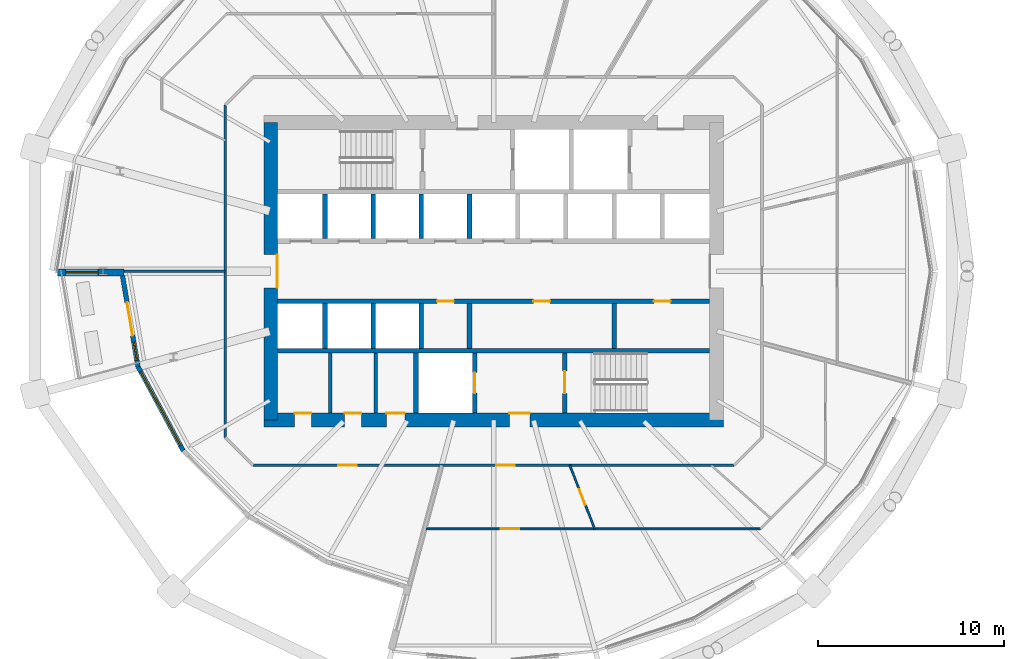
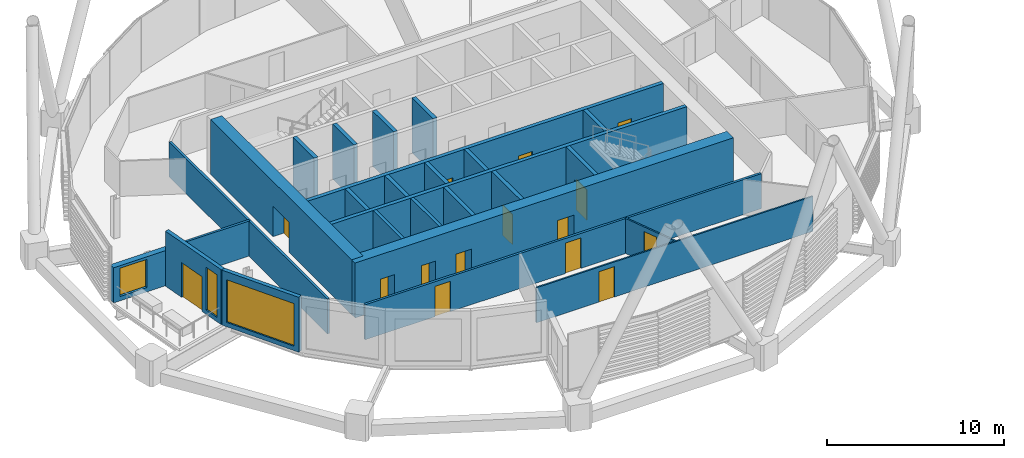
# One storey, part 23 of 38: 26 walls, 15 doors, 3 windows, 18 openings.
"""IFC4 building model written with IfcOpenShell, lengths in metres."""

from ifc_helpers import new_model, si_unit, direction, frame, frame_2d, origin, place, context, subcontext, project, spatial, rectangle, extrude, material, layer, layer_set, type_object, element, fill, save


model = new_model("IFC4")

# Units and contexts
model_context = context("Model", 3, precision=1e-05, world=origin(), true_north=direction((0.0, 1.0)))
body_context = subcontext(model_context, "Body", "Model", "MODEL_VIEW")
ifc_project = project(units=[si_unit("LENGTHUNIT", "METRE"), si_unit("AREAUNIT", "SQUARE_METRE"), si_unit("VOLUMEUNIT", "CUBIC_METRE"), si_unit("PLANEANGLEUNIT", "RADIAN"), si_unit("MASSUNIT", "GRAM", prefix="KILO")], contexts=[model_context])

# Site, building, storey
site_placement = place(None, origin())
site = spatial("IfcSite", under=ifc_project, at=site_placement, CompositionType="ELEMENT")
building_placement = place(site_placement, origin())
building = spatial("IfcBuilding", under=site, at=building_placement, Name="Rimbun Link Towers", CompositionType="ELEMENT")
storey_placement = place(building_placement, frame((0.0, 0.0, 93.0)))
storey = spatial("IfcBuildingStorey", under=building, at=storey_placement, Name="L22", CompositionType="ELEMENT", Elevation=93.0)

# Wall, openings, door, window
ifc_material_1 = material(Name="Dark enamelled glass spandrel on insulated aluminium backpan", Category="aluminium")
ifc_layer_1 = layer(ifc_material_1, 0.25)
ifc_layer_set_1 = layer_set([ifc_layer_1], Name="CS dark enamelled spandrel wall 250")
wall_type_1 = type_object("IfcWallType", Name="CS dark enamelled spandrel wall 250", PredefinedType="STANDARD", material=ifc_layer_set_1)
wall_1_placement = place(storey_placement, frame((-50.895263671875, -5.13916015625, 0.0), z_axis=(0.0, 0.0, 1.0), x_axis=(-0.168005969371, 0.985785977916, 0.0)))
wall_1 = element("IfcWall", 1, at=wall_1_placement, inside=storey, type_object=wall_type_1, Name="Crease spandrel wall", PredefinedType="STANDARD", context=body_context, shape_type="SweptSolid", body=[
    extrude(rectangle(XDim=4.959716796875, YDim=0.25, at=frame_2d((2.47998046875, 0.0))), origin(), (0.0, 0.0, 1.0), 3.800048828125),
])
opening_1_placement = place(wall_1_placement, frame((0.35302734375, 0.0, 0.300048828125)))
opening_1 = element("IfcOpeningElement", 2, at=opening_1_placement, cuts=wall_1, Name="Opening WR10H295", PredefinedType="OPENING", context=body_context, shape_type="SweptSolid", body=[
    extrude(rectangle(XDim=1.0, YDim=2.949951171875, at=frame_2d((0.5, 1.47509765625))), frame((0.0, 0.135009765625, 0.0), z_axis=(0.0, -1.0, 0.0), x_axis=(1.0, 0.0, 0.0)), (0.0, 0.0, 1.0), 0.27001953125),
])
opening_2_placement = place(wall_1_placement, frame((1.7060546875, 0.0, 0.0)))
opening_2 = element("IfcOpeningElement", 3, at=opening_2_placement, cuts=wall_1, Name="Opening ED61", PredefinedType="OPENING", context=body_context, shape_type="SweptSolid", body=[
    extrude(rectangle(XDim=1.800048828125, YDim=2.39990234375, at=frame_2d((0.89990234375, 1.199951171875))), frame((0.0, 0.135009765625, 0.0), z_axis=(0.0, -1.0, 0.0), x_axis=(1.0, 0.0, 0.0)), (0.0, 0.0, 1.0), 0.27001953125),
])
ifc_material_2 = material(Name="Aluminium framed glazed door, low-iron glass", Category="aluminium")
door_type_1 = type_object("IfcDoorType", Name="ED terrace door double leaf 1800X2400", OperationType="DOUBLE_DOOR_SINGLE_SWING", PredefinedType="DOOR", material=ifc_material_2)
door_1_placement = place(opening_2_placement, origin())
door_1 = element("IfcDoor", 4, at=door_1_placement, inside=storey, type_object=door_type_1, Name="Terrace door", OperationType="SINGLE_SWING_LEFT", OverallHeight=2.39990234375, OverallWidth=1.800048828125, PredefinedType="DOOR", context=body_context, shape_type="SweptSolid", body=[
    extrude(rectangle(XDim=1.800048828125, YDim=2.39990234375, at=frame_2d((0.89990234375, 1.199951171875))), frame((0.0, 0.02490234375, 0.0), z_axis=(0.0, -1.0, 0.0), x_axis=(1.0, 0.0, 0.0)), (0.0, 0.0, 1.0), 0.050048828125),
])
fill(opening_2, door_1)
ifc_material_3 = material(Name="Aluminium framed fixed window, dark tinted low-e glass", Category="aluminium")
window_type_1 = type_object("IfcWindowType", Name="WR ribbon window 1000X2950", PartitioningType="SINGLE_PANEL", PredefinedType="WINDOW", material=ifc_material_3)
window_1_placement = place(opening_1_placement, origin())
window_1 = element("IfcWindow", 5, at=window_1_placement, inside=storey, type_object=window_type_1, Name="Crease ribbon window", OverallHeight=2.949951171875, OverallWidth=1.0, PartitioningType="SINGLE_PANEL", PredefinedType="WINDOW", context=body_context, shape_type="SweptSolid", body=[
    extrude(rectangle(XDim=1.0, YDim=2.949951171875, at=frame_2d((0.5, 1.47509765625))), frame((0.0, 0.030029296875, 0.0), z_axis=(0.0, -1.0, 0.0), x_axis=(1.0, 0.0, 0.0)), (0.0, 0.0, 1.0), 0.06005859375),
])
fill(opening_1, window_1)

# Wall, opening, window
wall_2_placement = place(storey_placement, frame((-48.462646484375, -9.665771484375, 0.0), z_axis=(0.0, 0.0, 1.0), x_axis=(-0.47337722528, 0.880859808702, 0.0)))
wall_2 = element("IfcWall", 6, at=wall_2_placement, inside=storey, type_object=wall_type_1, Name="Crease spandrel wall", PredefinedType="STANDARD", context=body_context, shape_type="SweptSolid", body=[
    extrude(rectangle(XDim=5.138916015625, YDim=0.25, at=frame_2d((2.5693359375, 0.0))), origin(), (0.0, 0.0, 1.0), 3.800048828125),
])
opening_3_placement = place(wall_2_placement, frame((0.319580078125, 0.0, 0.300048828125)))
opening_3 = element("IfcOpeningElement", 7, at=opening_3_placement, cuts=wall_2, Name="Opening WR45H295", PredefinedType="OPENING", context=body_context, shape_type="SweptSolid", body=[
    extrude(rectangle(XDim=4.5, YDim=2.949951171875, at=frame_2d((2.25, 1.47509765625))), frame((0.0, 0.135009765625, 0.0), z_axis=(0.0, -1.0, 0.0), x_axis=(1.0, 0.0, 0.0)), (0.0, 0.0, 1.0), 0.27001953125),
])
ifc_material_4 = material(Name="Aluminium framed fixed window, dark tinted low-e glass", Category="aluminium")
window_type_2 = type_object("IfcWindowType", Name="WR ribbon window 4500X2950", PartitioningType="SINGLE_PANEL", PredefinedType="WINDOW", material=ifc_material_4)
window_2_placement = place(opening_3_placement, origin())
window_2 = element("IfcWindow", 8, at=window_2_placement, inside=storey, type_object=window_type_2, Name="Crease ribbon window", OverallHeight=2.949951171875, OverallWidth=4.5, PartitioningType="SINGLE_PANEL", PredefinedType="WINDOW", context=body_context, shape_type="SweptSolid", body=[
    extrude(rectangle(XDim=4.5, YDim=2.949951171875, at=frame_2d((2.25, 1.47509765625))), frame((0.0, 0.030029296875, 0.0), z_axis=(0.0, -1.0, 0.0), x_axis=(1.0, 0.0, 0.0)), (0.0, 0.0, 1.0), 0.06005859375),
])
fill(opening_3, window_2)

ifc_material_5 = material(Name="Dark enamelled glass spandrel on insulated aluminium backpan", Category="aluminium")
ifc_layer_2 = layer(ifc_material_5, 0.3701171875)
ifc_layer_set_2 = layer_set([ifc_layer_2], Name="CS dark enamelled spandrel wall 370")
wall_type_2 = type_object("IfcWallType", Name="CS dark enamelled spandrel wall 370", PredefinedType="STANDARD", material=ifc_layer_set_2)
wall_3_placement = place(storey_placement, frame((-51.644287109375, -0.06494140625, 0.0), z_axis=(0.0, 0.0, 1.0), x_axis=(-1.0, 0.0, 0.0)))
wall_3 = element("IfcWall", 9, at=wall_3_placement, inside=storey, type_object=wall_type_2, Name="Crease spandrel wall", PredefinedType="STANDARD", context=body_context, shape_type="SweptSolid", body=[
    extrude(rectangle(XDim=3.580078125, YDim=0.3701171875, at=frame_2d((1.7900390625, 0.0))), origin(), (0.0, 0.0, 1.0), 2.429931640625),
])
opening_4_placement = place(wall_3_placement, frame((1.3974609375, 0.0, 0.300048828125)))
opening_4 = element("IfcOpeningElement", 10, at=opening_4_placement, cuts=wall_3, Name="Opening WR18H195", PredefinedType="OPENING", context=body_context, shape_type="SweptSolid", body=[
    extrude(rectangle(XDim=1.75, YDim=1.949951171875, at=frame_2d((0.875, 0.97509765625))), frame((0.0, 0.195068359375, 0.0), z_axis=(0.0, -1.0, 0.0), x_axis=(1.0, 0.0, 0.0)), (0.0, 0.0, 1.0), 0.39013671875),
])
ifc_material_6 = material(Name="Aluminium framed fixed window, dark tinted low-e glass", Category="aluminium")
window_type_3 = type_object("IfcWindowType", Name="WR ribbon window 1750X1950", PartitioningType="SINGLE_PANEL", PredefinedType="WINDOW", material=ifc_material_6)
window_3_placement = place(opening_4_placement, origin())
window_3 = element("IfcWindow", 11, at=window_3_placement, inside=storey, type_object=window_type_3, Name="Crease ribbon window", OverallHeight=1.949951171875, OverallWidth=1.75, PartitioningType="SINGLE_PANEL", PredefinedType="WINDOW", context=body_context, shape_type="SweptSolid", body=[
    extrude(rectangle(XDim=1.75, YDim=1.949951171875, at=frame_2d((0.875, 0.97509765625))), frame((0.0, 0.030029296875, 0.0), z_axis=(0.0, -1.0, 0.0), x_axis=(1.0, 0.0, 0.0)), (0.0, 0.0, 1.0), 0.06005859375),
])
fill(opening_4, window_3)

# Walls
ifc_material_7 = material(Name="Masonry blockwork", Category="masonry")
ifc_layer_3 = layer(ifc_material_7, 0.199951171875)
ifc_layer_set_3 = layer_set([ifc_layer_3], Name="Core partition 200")
wall_type_3 = type_object("IfcWallType", Name="Core partition 200", PredefinedType="PARTITIONING", material=ifc_layer_set_3)
for number, where, z_axis, x_axis, name in (
    (12, (-40.550048828125, -4.39990234375, 0.0), (0.0, 0.0, 1.0), (0.0, -1.0, 0.0), "L22 T1 core wall C1"),
    (13, (-38.10009765625, -4.39990234375, 0.0), (0.0, 0.0, 1.0), (0.0, -1.0, 0.0), "L22 T1 core wall C2"),
):
    element("IfcWall", number, at=place(storey_placement, frame(where, z_axis=z_axis, x_axis=x_axis)), inside=storey, type_object=wall_type_3, Name=name, PredefinedType="PARTITIONING", context=body_context, shape_type="SweptSolid", body=[
        extrude(rectangle(XDim=3.22509765625, YDim=0.199951171875, at=frame_2d((1.612548828125, 0.0))), origin(), (0.0, 0.0, 1.0), 3.800048828125),
    ])

# Wall, openings, doors
ifc_material_8 = material(Name="Concrete C60/75", Category="concrete")
ifc_layer_4 = layer(ifc_material_8, 0.75)
ifc_layer_set_4 = layer_set([ifc_layer_4], Name="Core shear wall 750")
wall_type_4 = type_object("IfcWallType", Name="Core shear wall 750", PredefinedType="SHEAR", material=ifc_layer_set_4)
wall_4_placement = place(storey_placement, frame((-44.125, -8.0, 0.0), z_axis=(0.0, 0.0, 1.0), x_axis=(1.0, 0.0, 0.0)))
wall_4 = element("IfcWall", 14, at=wall_4_placement, inside=storey, type_object=wall_type_4, Name="L22 T1 core wall S", PredefinedType="SHEAR", context=body_context, shape_type="SweptSolid", body=[
    extrude(rectangle(XDim=24.75, YDim=0.75, at=frame_2d((12.375, 0.0))), origin(), (0.0, 0.0, 1.0), 3.800048828125),
])
opening_5_placement = place(wall_4_placement, frame((13.22509765625, 0.0, 0.0)))
opening_5 = element("IfcOpeningElement", 15, at=opening_5_placement, cuts=wall_4, Name="Opening C1DCF01S", PredefinedType="OPENING", context=body_context, shape_type="SweptSolid", body=[
    extrude(rectangle(XDim=1.10009765625, YDim=2.10009765625, at=frame_2d((0.550048828125, 1.050048828125))), frame((0.0, 0.385009765625, 0.0), z_axis=(0.0, -1.0, 0.0), x_axis=(1.0, 0.0, 0.0)), (0.0, 0.0, 1.0), 0.77001953125),
])
opening_6_placement = place(wall_4_placement, frame((1.66259765625, 0.0, 0.0)))
opening_6 = element("IfcOpeningElement", 16, at=opening_6_placement, cuts=wall_4, Name="Opening C1DWC02S", PredefinedType="OPENING", context=body_context, shape_type="SweptSolid", body=[
    extrude(rectangle(XDim=0.89990234375, YDim=2.10009765625, at=frame_2d((0.449951171875, 1.050048828125))), frame((0.0, 0.385009765625, 0.0), z_axis=(0.0, -1.0, 0.0), x_axis=(1.0, 0.0, 0.0)), (0.0, 0.0, 1.0), 0.77001953125),
])
opening_7_placement = place(wall_4_placement, frame((4.35009765625, 0.0, 0.0)))
opening_7 = element("IfcOpeningElement", 17, at=opening_7_placement, cuts=wall_4, Name="Opening C1DWC03S", PredefinedType="OPENING", context=body_context, shape_type="SweptSolid", body=[
    extrude(rectangle(XDim=0.89990234375, YDim=2.10009765625, at=frame_2d((0.449951171875, 1.050048828125))), frame((0.0, 0.385009765625, 0.0), z_axis=(0.0, -1.0, 0.0), x_axis=(1.0, 0.0, 0.0)), (0.0, 0.0, 1.0), 0.77001953125),
])
opening_8_placement = place(wall_4_placement, frame((6.60009765625, 0.0, 0.0)))
opening_8 = element("IfcOpeningElement", 18, at=opening_8_placement, cuts=wall_4, Name="Opening C1DAW04S", PredefinedType="OPENING", context=body_context, shape_type="SweptSolid", body=[
    extrude(rectangle(XDim=1.0, YDim=2.10009765625, at=frame_2d((0.5, 1.050048828125))), frame((0.0, 0.385009765625, 0.0), z_axis=(0.0, -1.0, 0.0), x_axis=(1.0, 0.0, 0.0)), (0.0, 0.0, 1.0), 0.77001953125),
])
ifc_material_9 = material(Name="Timber", Category="wood")
door_type_2 = type_object("IfcDoorType", Name="Accessible WC door", OperationType="SINGLE_SWING_LEFT", PredefinedType="DOOR", material=ifc_material_9)
door_2_placement = place(opening_8_placement, origin())
door_2 = element("IfcDoor", 19, at=door_2_placement, inside=storey, type_object=door_type_2, Name="L22 T1 accessible wc door", OperationType="SINGLE_SWING_RIGHT", OverallHeight=2.10009765625, OverallWidth=1.0, PredefinedType="DOOR", context=body_context, shape_type="SweptSolid", body=[
    extrude(rectangle(XDim=1.0, YDim=2.10009765625, at=frame_2d((0.5, 1.050048828125))), frame((0.0, 0.375, 0.0), z_axis=(0.0, -1.0, 0.0), x_axis=(1.0, 0.0, 0.0)), (0.0, 0.0, 1.0), 0.050048828125),
])
fill(opening_8, door_2)
ifc_material_10 = material(Name="Steel fire door set", Category="steel")
door_type_3 = type_object("IfcDoorType", Name="Core fire door single", OperationType="SINGLE_SWING_LEFT", PredefinedType="DOOR", material=ifc_material_10)
door_3_placement = place(opening_5_placement, origin())
door_3 = element("IfcDoor", 20, at=door_3_placement, inside=storey, type_object=door_type_3, Name="L22 T1 firefighting lobby s door", OperationType="SINGLE_SWING_RIGHT", OverallHeight=2.10009765625, OverallWidth=1.10009765625, PredefinedType="DOOR", context=body_context, shape_type="SweptSolid", body=[
    extrude(rectangle(XDim=1.10009765625, YDim=2.10009765625, at=frame_2d((0.550048828125, 1.050048828125))), frame((0.0, 0.375, 0.0), z_axis=(0.0, -1.0, 0.0), x_axis=(1.0, 0.0, 0.0)), (0.0, 0.0, 1.0), 0.050048828125),
])
fill(opening_5, door_3)
ifc_material_11 = material(Name="Timber", Category="wood")
door_type_4 = type_object("IfcDoorType", Name="WC door", OperationType="SINGLE_SWING_LEFT", PredefinedType="DOOR", material=ifc_material_11)
door_4_placement = place(opening_6_placement, origin())
door_4 = element("IfcDoor", 21, at=door_4_placement, inside=storey, type_object=door_type_4, Name="L22 T1 male wc door", OperationType="SINGLE_SWING_RIGHT", OverallHeight=2.10009765625, OverallWidth=0.89990234375, PredefinedType="DOOR", context=body_context, shape_type="SweptSolid", body=[
    extrude(rectangle(XDim=0.89990234375, YDim=2.10009765625, at=frame_2d((0.449951171875, 1.050048828125))), frame((0.0, 0.375, 0.0), z_axis=(0.0, -1.0, 0.0), x_axis=(1.0, 0.0, 0.0)), (0.0, 0.0, 1.0), 0.050048828125),
])
fill(opening_6, door_4)
door_5_placement = place(opening_7_placement, origin())
door_5 = element("IfcDoor", 22, at=door_5_placement, inside=storey, type_object=door_type_4, Name="L22 T1 female wc door", OperationType="SINGLE_SWING_RIGHT", OverallHeight=2.10009765625, OverallWidth=0.89990234375, PredefinedType="DOOR", context=body_context, shape_type="SweptSolid", body=[
    extrude(rectangle(XDim=0.89990234375, YDim=2.10009765625, at=frame_2d((0.449951171875, 1.050048828125))), frame((0.0, 0.375, 0.0), z_axis=(0.0, -1.0, 0.0), x_axis=(1.0, 0.0, 0.0)), (0.0, 0.0, 1.0), 0.050048828125),
])
fill(opening_7, door_5)

# Wall, opening, door
wall_5_placement = place(storey_placement, frame((-43.75, -8.0, 0.0), z_axis=(0.0, 0.0, 1.0), x_axis=(0.0, 1.0, 0.0)))
wall_5 = element("IfcWall", 23, at=wall_5_placement, inside=storey, type_object=wall_type_4, Name="L22 T1 core wall W", PredefinedType="SHEAR", context=body_context, shape_type="SweptSolid", body=[
    extrude(rectangle(XDim=16.0, YDim=0.75, at=frame_2d((8.0, 0.0))), origin(), (0.0, 0.0, 1.0), 3.800048828125),
])
opening_9_placement = place(wall_5_placement, frame((7.10009765625, 0.0, 0.0)))
opening_9 = element("IfcOpeningElement", 24, at=opening_9_placement, cuts=wall_5, Name="Opening C1DCL01W", PredefinedType="OPENING", context=body_context, shape_type="SweptSolid", body=[
    extrude(rectangle(XDim=1.800048828125, YDim=2.10009765625, at=frame_2d((0.89990234375, 1.050048828125))), frame((0.0, 0.385009765625, 0.0), z_axis=(0.0, -1.0, 0.0), x_axis=(1.0, 0.0, 0.0)), (0.0, 0.0, 1.0), 0.77001953125),
])
ifc_material_12 = material(Name="Steel fire door set", Category="steel")
door_type_5 = type_object("IfcDoorType", Name="Core lobby door double", OperationType="DOUBLE_DOOR_SINGLE_SWING", PredefinedType="DOOR", material=ifc_material_12)
door_6_placement = place(opening_9_placement, origin())
door_6 = element("IfcDoor", 25, at=door_6_placement, inside=storey, type_object=door_type_5, Name="L22 T1 lift lobby door", OperationType="DOUBLE_DOOR_SINGLE_SWING", OverallHeight=2.10009765625, OverallWidth=1.800048828125, PredefinedType="DOOR", context=body_context, shape_type="SweptSolid", body=[
    extrude(rectangle(XDim=1.800048828125, YDim=2.10009765625, at=frame_2d((0.89990234375, 1.050048828125))), frame((0.0, -0.3251953125, 0.0), z_axis=(0.0, -1.0, 0.0), x_axis=(1.0, 0.0, 0.0)), (0.0, 0.0, 1.0), 0.050048828125),
])
fill(opening_9, door_6)

# Wall, openings, doors
ifc_material_13 = material(Name="Plasterboard on steel stud, mineral wool", Category="steel")
ifc_layer_5 = layer(ifc_material_13, 0.14990234375)
ifc_layer_set_5 = layer_set([ifc_layer_5], Name="Corridor wall EI 30 150 mm")
wall_type_5 = type_object("IfcWallType", Name="Corridor wall EI 30 150 mm", PredefinedType="PARTITIONING", material=ifc_layer_set_5)
wall_6_placement = place(storey_placement, frame((-18.79833984375, -10.449951171875, 0.0), z_axis=(0.0, 0.0, 1.0), x_axis=(-1.0, 0.0, 0.0)))
wall_6 = element("IfcWall", 26, at=wall_6_placement, inside=storey, type_object=wall_type_5, Name="Corridor wall EI 30 150 mm", PredefinedType="PARTITIONING", context=body_context, shape_type="SweptSolid", body=[
    extrude(rectangle(XDim=25.9033203125, YDim=0.14990234375, at=frame_2d((12.95166015625, 0.0))), origin(), (0.0, 0.0, 1.0), 2.419921875),
])
opening_10_placement = place(wall_6_placement, frame((11.80126953125, 0.0, 0.0)))
opening_10 = element("IfcOpeningElement", 27, at=opening_10_placement, cuts=wall_6, Name="Opening D01", PredefinedType="OPENING", context=body_context, shape_type="SweptSolid", body=[
    extrude(rectangle(XDim=1.0, YDim=2.10009765625, at=frame_2d((0.5, 1.050048828125))), frame((0.0, 0.0849609375, 0.0), z_axis=(0.0, -1.0, 0.0), x_axis=(1.0, 0.0, 0.0)), (0.0, 0.0, 1.0), 0.169921875),
])
opening_11_placement = place(wall_6_placement, frame((20.32763671875, 0.0, 0.0)))
opening_11 = element("IfcOpeningElement", 28, at=opening_11_placement, cuts=wall_6, Name="Opening D01", PredefinedType="OPENING", context=body_context, shape_type="SweptSolid", body=[
    extrude(rectangle(XDim=1.0, YDim=2.10009765625, at=frame_2d((0.5, 1.050048828125))), frame((0.0, 0.0849609375, 0.0), z_axis=(0.0, -1.0, 0.0), x_axis=(1.0, 0.0, 0.0)), (0.0, 0.0, 1.0), 0.169921875),
])
ifc_material_14 = material(Name="Fire-resisting timber door leaf", Category="wood")
door_type_6 = type_object("IfcDoorType", Name="Fire door FD30S 1000", OperationType="NOTDEFINED", PredefinedType="DOOR", material=ifc_material_14)
door_7_placement = place(opening_10_placement, origin())
door_7 = element("IfcDoor", 29, at=door_7_placement, inside=storey, type_object=door_type_6, Name="Fire door FD30S 1000 to Reception", OperationType="SINGLE_SWING_LEFT", OverallHeight=2.10009765625, OverallWidth=1.0, PredefinedType="DOOR", context=body_context, shape_type="SweptSolid", body=[
    extrude(rectangle(XDim=1.0, YDim=2.10009765625, at=frame_2d((0.5, 1.050048828125))), frame((0.0, 0.02490234375, 0.0), z_axis=(0.0, -1.0, 0.0), x_axis=(1.0, 0.0, 0.0)), (0.0, 0.0, 1.0), 0.050048828125),
])
fill(opening_10, door_7)
door_8_placement = place(opening_11_placement, origin())
door_8 = element("IfcDoor", 30, at=door_8_placement, inside=storey, type_object=door_type_6, Name="Fire door FD30S 1000 to Terrace office", OperationType="SINGLE_SWING_LEFT", OverallHeight=2.10009765625, OverallWidth=1.0, PredefinedType="DOOR", context=body_context, shape_type="SweptSolid", body=[
    extrude(rectangle(XDim=1.0, YDim=2.10009765625, at=frame_2d((0.5, 1.050048828125))), frame((0.0, 0.02490234375, 0.0), z_axis=(0.0, -1.0, 0.0), x_axis=(1.0, 0.0, 0.0)), (0.0, 0.0, 1.0), 0.050048828125),
])
fill(opening_11, door_8)

# Wall
wall_7_placement = place(storey_placement, frame((-46.199951171875, 8.95166015625, 0.0), z_axis=(0.0, 0.0, 1.0), x_axis=(0.0, -1.0, 0.0)))
element("IfcWall", 31, at=wall_7_placement, inside=storey, type_object=wall_type_5, Name="Corridor wall EI 30 150 mm", PredefinedType="PARTITIONING", context=body_context, shape_type="SweptSolid", body=[
    extrude(rectangle(XDim=17.9033203125, YDim=0.14990234375, at=frame_2d((8.95166015625, 0.0))), origin(), (0.0, 0.0, 1.0), 2.419921875),
])

# Wall, opening, door
ifc_material_15 = material(Name="Plasterboard on steel stud", Category="steel")
ifc_layer_6 = layer(ifc_material_15, 0.10009765625)
ifc_layer_set_6 = layer_set([ifc_layer_6], Name="Plasterboard partition 100 mm")
wall_type_6 = type_object("IfcWallType", Name="Plasterboard partition 100 mm", PredefinedType="PARTITIONING", material=ifc_layer_set_6)
wall_8_placement = place(storey_placement, frame((-27.648681640625, -10.449951171875, 0.0), z_axis=(0.0, 0.0, 1.0), x_axis=(0.365276110252, -0.930899222945, 0.0)))
wall_8 = element("IfcWall", 32, at=wall_8_placement, inside=storey, type_object=wall_type_6, Name="Plasterboard partition 100 mm", PredefinedType="PARTITIONING", context=body_context, shape_type="SweptSolid", body=[
    extrude(rectangle(XDim=3.674072265625, YDim=0.10009765625, at=frame_2d((1.8369140625, 0.0))), origin(), (0.0, 0.0, 1.0), 2.419921875),
])
opening_12_placement = place(wall_8_placement, frame((1.386962890625, 0.0, 0.0)))
opening_12 = element("IfcOpeningElement", 33, at=opening_12_placement, cuts=wall_8, Name="Opening D04", PredefinedType="OPENING", context=body_context, shape_type="SweptSolid", body=[
    extrude(rectangle(XDim=0.89990234375, YDim=2.10009765625, at=frame_2d((0.449951171875, 1.050048828125))), frame((0.0, 0.06005859375, 0.0), z_axis=(0.0, -1.0, 0.0), x_axis=(1.0, 0.0, 0.0)), (0.0, 0.0, 1.0), 0.1201171875),
])
ifc_material_16 = material(Name="Timber door leaf", Category="wood")
door_type_7 = type_object("IfcDoorType", Name="Flush door 900", OperationType="NOTDEFINED", PredefinedType="DOOR", material=ifc_material_16)
door_9_placement = place(opening_12_placement, origin())
door_9 = element("IfcDoor", 34, at=door_9_placement, inside=storey, type_object=door_type_7, Name="Flush door 900 to Meeting room", OperationType="SINGLE_SWING_RIGHT", OverallHeight=2.10009765625, OverallWidth=0.89990234375, PredefinedType="DOOR", context=body_context, shape_type="SweptSolid", body=[
    extrude(rectangle(XDim=0.89990234375, YDim=2.10009765625, at=frame_2d((0.449951171875, 1.050048828125))), frame((0.0, 0.02490234375, 0.0), z_axis=(0.0, -1.0, 0.0), x_axis=(1.0, 0.0, 0.0)), (0.0, 0.0, 1.0), 0.050048828125),
])
fill(opening_12, door_9)

wall_9_placement = place(storey_placement, frame((-17.381591796875, -13.8701171875, 0.0), z_axis=(0.0, 0.0, 1.0), x_axis=(-1.0, 0.0, 0.0)))
wall_9 = element("IfcWall", 35, at=wall_9_placement, inside=storey, type_object=wall_type_6, Name="Plasterboard partition 100 mm", PredefinedType="PARTITIONING", context=body_context, shape_type="SweptSolid", body=[
    extrude(rectangle(XDim=18.084716796875, YDim=0.10009765625, at=frame_2d((9.04248046875, 0.0))), origin(), (0.0, 0.0, 1.0), 2.419921875),
])
opening_13_placement = place(wall_9_placement, frame((12.989990234375, 0.0, 0.0)))
opening_13 = element("IfcOpeningElement", 36, at=opening_13_placement, cuts=wall_9, Name="Opening D03", PredefinedType="OPENING", context=body_context, shape_type="SweptSolid", body=[
    extrude(rectangle(XDim=1.0, YDim=2.10009765625, at=frame_2d((0.5, 1.050048828125))), frame((0.0, 0.06005859375, 0.0), z_axis=(0.0, -1.0, 0.0), x_axis=(1.0, 0.0, 0.0)), (0.0, 0.0, 1.0), 0.1201171875),
])
ifc_material_17 = material(Name="Timber door leaf", Category="wood")
door_type_8 = type_object("IfcDoorType", Name="Flush door 1000", OperationType="NOTDEFINED", PredefinedType="DOOR", material=ifc_material_17)
door_10_placement = place(opening_13_placement, origin())
door_10 = element("IfcDoor", 37, at=door_10_placement, inside=storey, type_object=door_type_8, Name="Flush door 1000 to Open office", OperationType="SINGLE_SWING_LEFT", OverallHeight=2.10009765625, OverallWidth=1.0, PredefinedType="DOOR", context=body_context, shape_type="SweptSolid", body=[
    extrude(rectangle(XDim=1.0, YDim=2.10009765625, at=frame_2d((0.5, 1.050048828125))), frame((0.0, 0.02490234375, 0.0), z_axis=(0.0, -1.0, 0.0), x_axis=(1.0, 0.0, 0.0)), (0.0, 0.0, 1.0), 0.050048828125),
])
fill(opening_13, door_10)

# Wall
ifc_material_18 = material(Name="Concrete C60/75", Category="concrete")
ifc_layer_7 = layer(ifc_material_18, 0.25)
ifc_layer_set_7 = layer_set([ifc_layer_7], Name="Shaft wall 250")
wall_type_7 = type_object("IfcWallType", Name="Shaft wall 250", PredefinedType="SHEAR", material=ifc_layer_set_7)
wall_10_placement = place(storey_placement, frame((-43.375, -4.27490234375, 0.0), z_axis=(0.0, 0.0, 1.0), x_axis=(1.0, 0.0, 0.0)))
element("IfcWall", 38, at=wall_10_placement, inside=storey, type_object=wall_type_7, Name="L22 T1 core wall BS", PredefinedType="SHEAR", context=body_context, shape_type="SweptSolid", body=[
    extrude(rectangle(XDim=23.25, YDim=0.25, at=frame_2d((11.625, 0.0))), origin(), (0.0, 0.0, 1.0), 3.800048828125),
])

# Wall, openings, doors
wall_11_placement = place(storey_placement, frame((-43.375, -1.625, 0.0), z_axis=(0.0, 0.0, 1.0), x_axis=(1.0, 0.0, 0.0)))
wall_11 = element("IfcWall", 39, at=wall_11_placement, inside=storey, type_object=wall_type_7, Name="L22 T1 core wall FS", PredefinedType="SHEAR", context=body_context, shape_type="SweptSolid", body=[
    extrude(rectangle(XDim=23.25, YDim=0.25, at=frame_2d((11.625, 0.0))), origin(), (0.0, 0.0, 1.0), 3.800048828125),
])
opening_14_placement = place(wall_11_placement, frame((8.58056640625, 0.0, 0.0)))
opening_14 = element("IfcOpeningElement", 40, at=opening_14_placement, cuts=wall_11, Name="Opening C1DRS01FS", PredefinedType="OPENING", context=body_context, shape_type="SweptSolid", body=[
    extrude(rectangle(XDim=0.89990234375, YDim=2.10009765625, at=frame_2d((0.449951171875, 1.050048828125))), frame((0.0, 0.135009765625, 0.0), z_axis=(0.0, -1.0, 0.0), x_axis=(1.0, 0.0, 0.0)), (0.0, 0.0, 1.0), 0.27001953125),
])
opening_15_placement = place(wall_11_placement, frame((13.769287109375, 0.0, 0.0)))
opening_15 = element("IfcOpeningElement", 41, at=opening_15_placement, cuts=wall_11, Name="Opening C1DRS02FS", PredefinedType="OPENING", context=body_context, shape_type="SweptSolid", body=[
    extrude(rectangle(XDim=0.89990234375, YDim=2.10009765625, at=frame_2d((0.449951171875, 1.050048828125))), frame((0.0, 0.135009765625, 0.0), z_axis=(0.0, -1.0, 0.0), x_axis=(1.0, 0.0, 0.0)), (0.0, 0.0, 1.0), 0.27001953125),
])
opening_16_placement = place(wall_11_placement, frame((20.255615234375, 0.0, 0.0)))
opening_16 = element("IfcOpeningElement", 42, at=opening_16_placement, cuts=wall_11, Name="Opening C1DRS03FS", PredefinedType="OPENING", context=body_context, shape_type="SweptSolid", body=[
    extrude(rectangle(XDim=0.89990234375, YDim=2.10009765625, at=frame_2d((0.449951171875, 1.050048828125))), frame((0.0, 0.135009765625, 0.0), z_axis=(0.0, -1.0, 0.0), x_axis=(1.0, 0.0, 0.0)), (0.0, 0.0, 1.0), 0.27001953125),
])
ifc_material_19 = material(Name="Steel fire door set", Category="steel")
door_type_9 = type_object("IfcDoorType", Name="Core riser door", OperationType="SINGLE_SWING_LEFT", PredefinedType="DOOR", material=ifc_material_19)
door_11_placement = place(opening_14_placement, origin())
door_11 = element("IfcDoor", 43, at=door_11_placement, inside=storey, type_object=door_type_9, Name="L22 T1 stationery store door", OperationType="SINGLE_SWING_LEFT", OverallHeight=2.10009765625, OverallWidth=0.89990234375, PredefinedType="DOOR", context=body_context, shape_type="SweptSolid", body=[
    extrude(rectangle(XDim=0.89990234375, YDim=2.10009765625, at=frame_2d((0.449951171875, 1.050048828125))), frame((0.0, 0.02490234375, 0.0), z_axis=(0.0, -1.0, 0.0), x_axis=(1.0, 0.0, 0.0)), (0.0, 0.0, 1.0), 0.050048828125),
])
fill(opening_14, door_11)
door_12_placement = place(opening_15_placement, origin())
door_12 = element("IfcDoor", 44, at=door_12_placement, inside=storey, type_object=door_type_9, Name="L22 T1 records store door", OperationType="SINGLE_SWING_LEFT", OverallHeight=2.10009765625, OverallWidth=0.89990234375, PredefinedType="DOOR", context=body_context, shape_type="SweptSolid", body=[
    extrude(rectangle(XDim=0.89990234375, YDim=2.10009765625, at=frame_2d((0.449951171875, 1.050048828125))), frame((0.0, 0.02490234375, 0.0), z_axis=(0.0, -1.0, 0.0), x_axis=(1.0, 0.0, 0.0)), (0.0, 0.0, 1.0), 0.050048828125),
])
fill(opening_15, door_12)
door_13_placement = place(opening_16_placement, origin())
door_13 = element("IfcDoor", 45, at=door_13_placement, inside=storey, type_object=door_type_9, Name="L22 T1 print room door", OperationType="SINGLE_SWING_RIGHT", OverallHeight=2.10009765625, OverallWidth=0.89990234375, PredefinedType="DOOR", context=body_context, shape_type="SweptSolid", body=[
    extrude(rectangle(XDim=0.89990234375, YDim=2.10009765625, at=frame_2d((0.449951171875, 1.050048828125))), frame((0.0, 0.02490234375, 0.0), z_axis=(0.0, -1.0, 0.0), x_axis=(1.0, 0.0, 0.0)), (0.0, 0.0, 1.0), 0.050048828125),
])
fill(opening_16, door_13)

# Walls
for number, where, z_axis, x_axis, name in (
    (46, (-40.83056640625, 1.75, 0.0), (0.0, 0.0, 1.0), (0.0, 1.0, 0.0), "L22 T1 core wall DN0"),
    (47, (-38.236083984375, 1.75, 0.0), (0.0, 0.0, 1.0), (0.0, 1.0, 0.0), "L22 T1 core wall DN1"),
    (48, (-35.6416015625, 1.75, 0.0), (0.0, 0.0, 1.0), (0.0, 1.0, 0.0), "L22 T1 core wall DN2"),
    (49, (-33.047119140625, 1.75, 0.0), (0.0, 0.0, 1.0), (0.0, 1.0, 0.0), "L22 T1 core wall DN3"),
    (50, (-40.83056640625, -4.14990234375, 0.0), (0.0, 0.0, 1.0), (0.0, 1.0, 0.0), "L22 T1 core wall DS0"),
    (51, (-38.236083984375, -4.14990234375, 0.0), (0.0, 0.0, 1.0), (0.0, 1.0, 0.0), "L22 T1 core wall DS1"),
    (52, (-35.6416015625, -4.14990234375, 0.0), (0.0, 0.0, 1.0), (0.0, 1.0, 0.0), "L22 T1 core wall DS2"),
    (53, (-33.047119140625, -4.14990234375, 0.0), (0.0, 0.0, 1.0), (0.0, 1.0, 0.0), "L22 T1 core wall DS3"),
    (54, (-25.263916015625, -4.14990234375, 0.0), (0.0, 0.0, 1.0), (0.0, 1.0, 0.0), "L22 T1 core wall DS6"),
):
    element("IfcWall", number, at=place(storey_placement, frame(where, z_axis=z_axis, x_axis=x_axis)), inside=storey, type_object=wall_type_7, Name=name, PredefinedType="SHEAR", context=body_context, shape_type="SweptSolid", body=[
        extrude(rectangle(XDim=2.39990234375, YDim=0.25, at=frame_2d((1.199951171875, 0.0))), origin(), (0.0, 0.0, 1.0), 3.800048828125),
    ])

# Wall, opening, door
wall_12_placement = place(storey_placement, frame((-27.925048828125, -4.39990234375, 0.0), z_axis=(0.0, 0.0, 1.0), x_axis=(0.0, -1.0, 0.0)))
wall_12 = element("IfcWall", 55, at=wall_12_placement, inside=storey, type_object=wall_type_7, Name="L22 T1 core wall B1", PredefinedType="SHEAR", context=body_context, shape_type="SweptSolid", body=[
    extrude(rectangle(XDim=3.22509765625, YDim=0.25, at=frame_2d((1.612548828125, 0.0))), origin(), (0.0, 0.0, 1.0), 3.800048828125),
])
opening_17_placement = place(wall_12_placement, frame((0.97509765625, 0.0, 0.0)))
opening_17 = element("IfcOpeningElement", 56, at=opening_17_placement, cuts=wall_12, Name="Opening C1DST01B1", PredefinedType="OPENING", context=body_context, shape_type="SweptSolid", body=[
    extrude(rectangle(XDim=1.199951171875, YDim=2.10009765625, at=frame_2d((0.60009765625, 1.050048828125))), frame((0.0, 0.135009765625, 0.0), z_axis=(0.0, -1.0, 0.0), x_axis=(1.0, 0.0, 0.0)), (0.0, 0.0, 1.0), 0.27001953125),
])
ifc_material_20 = material(Name="Steel fire door set", Category="steel")
door_type_10 = type_object("IfcDoorType", Name="Stair door", OperationType="SINGLE_SWING_LEFT", PredefinedType="DOOR", material=ifc_material_20)
door_14_placement = place(opening_17_placement, origin())
door_14 = element("IfcDoor", 57, at=door_14_placement, inside=storey, type_object=door_type_10, Name="L22 T1 stair b door", OperationType="SINGLE_SWING_RIGHT", OverallHeight=2.10009765625, OverallWidth=1.199951171875, PredefinedType="DOOR", context=body_context, shape_type="SweptSolid", body=[
    extrude(rectangle(XDim=1.199951171875, YDim=2.10009765625, at=frame_2d((0.60009765625, 1.050048828125))), frame((0.0, 0.02490234375, 0.0), z_axis=(0.0, -1.0, 0.0), x_axis=(1.0, 0.0, 0.0)), (0.0, 0.0, 1.0), 0.050048828125),
])
fill(opening_17, door_14)

wall_13_placement = place(storey_placement, frame((-32.77490234375, -4.39990234375, 0.0), z_axis=(0.0, 0.0, 1.0), x_axis=(0.0, -1.0, 0.0)))
wall_13 = element("IfcWall", 58, at=wall_13_placement, inside=storey, type_object=wall_type_7, Name="L22 T1 core wall B2", PredefinedType="SHEAR", context=body_context, shape_type="SweptSolid", body=[
    extrude(rectangle(XDim=3.22509765625, YDim=0.25, at=frame_2d((1.612548828125, 0.0))), origin(), (0.0, 0.0, 1.0), 3.800048828125),
])
opening_18_placement = place(wall_13_placement, frame((1.0625, 0.0, 0.0)))
opening_18 = element("IfcOpeningElement", 59, at=opening_18_placement, cuts=wall_13, Name="Opening LD-T1-FF2", PredefinedType="OPENING", context=body_context, shape_type="SweptSolid", body=[
    extrude(rectangle(XDim=1.10009765625, YDim=2.10009765625, at=frame_2d((0.550048828125, 1.050048828125))), frame((0.0, 0.135009765625, 0.0), z_axis=(0.0, -1.0, 0.0), x_axis=(1.0, 0.0, 0.0)), (0.0, 0.0, 1.0), 0.27001953125),
])
ifc_material_21 = material(Name="Stainless steel grade 316", Category="steel")
door_type_11 = type_object("IfcDoorType", Name="Lift landing door", OperationType="DOUBLE_DOOR_SLIDING", PredefinedType="DOOR", material=ifc_material_21)
door_15_placement = place(opening_18_placement, origin())
door_15 = element("IfcDoor", 60, at=door_15_placement, inside=storey, type_object=door_type_11, Name="L22 T1 lift FF2 landing door", OperationType="DOUBLE_DOOR_SLIDING", OverallHeight=2.10009765625, OverallWidth=1.10009765625, PredefinedType="DOOR", context=body_context, shape_type="SweptSolid", body=[
    extrude(rectangle(XDim=1.10009765625, YDim=2.10009765625, at=frame_2d((0.550048828125, 1.050048828125))), frame((0.0, 0.02490234375, 0.0), z_axis=(0.0, -1.0, 0.0), x_axis=(1.0, 0.0, 0.0)), (0.0, 0.0, 1.0), 0.050048828125),
])
fill(opening_18, door_15)

# Walls
wall_14_placement = place(storey_placement, frame((-35.925048828125, -4.39990234375, 0.0), z_axis=(0.0, 0.0, 1.0), x_axis=(0.0, -1.0, 0.0)))
element("IfcWall", 61, at=wall_14_placement, inside=storey, type_object=wall_type_7, Name="L22 T1 core wall B3", PredefinedType="SHEAR", context=body_context, shape_type="SweptSolid", body=[
    extrude(rectangle(XDim=3.22509765625, YDim=0.25, at=frame_2d((1.612548828125, 0.0))), origin(), (0.0, 0.0, 1.0), 3.800048828125),
])
ifc_material_22 = material(Name="Plasterboard on steel stud, mineral wool", Category="steel")
ifc_layer_8 = layer(ifc_material_22, 0.14990234375)
ifc_layer_set_8 = layer_set([ifc_layer_8], Name="Tenancy separation wall EI 60 150 mm")
wall_type_8 = type_object("IfcWallType", Name="Tenancy separation wall EI 60 150 mm", PredefinedType="PARTITIONING", material=ifc_layer_set_8)
wall_15_placement = place(storey_placement, frame((-46.199951171875, 0.0, 0.0), z_axis=(0.0, 0.0, 1.0), x_axis=(-1.0, 0.0, 0.0)))
element("IfcWall", 62, at=wall_15_placement, inside=storey, type_object=wall_type_8, Name="Tenancy separation wall EI 60 150 mm", PredefinedType="PARTITIONING", context=body_context, shape_type="SweptSolid", body=[
    extrude(rectangle(XDim=5.4443359375, YDim=0.14990234375, at=frame_2d((2.72216796875, 0.0))), origin(), (0.0, 0.0, 1.0), 2.419921875),
])

save(model, "model.ifc")
